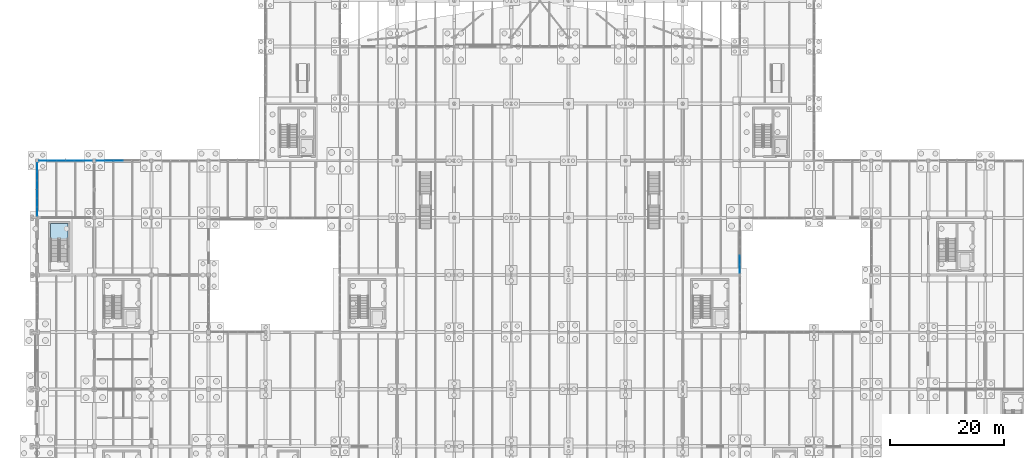
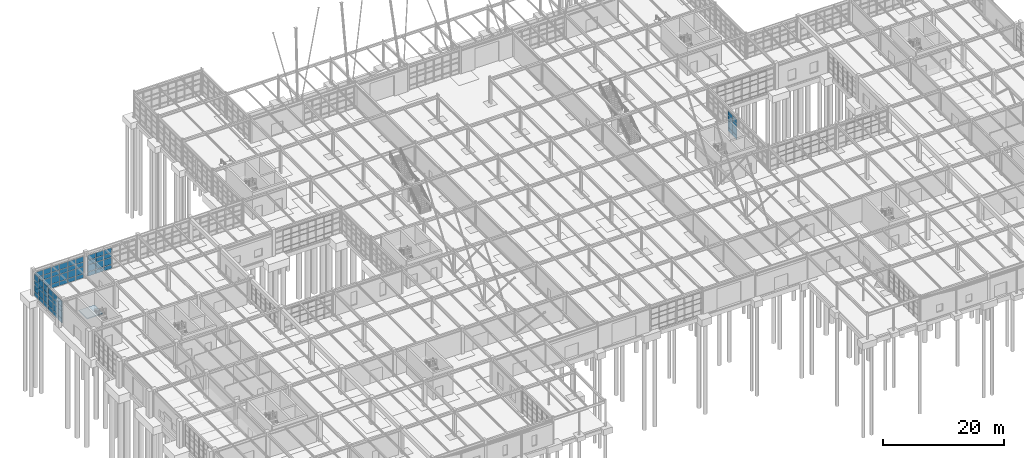
# One storey, part 86 of 145: 68 plates, 1 slab, 5 elements without a shape of their own.
"""IFC4 building model written with IfcOpenShell, lengths in metres."""

from ifc_helpers import new_model, si_unit, direction, frame, origin, origin_2d, place, context, subcontext, project, spatial, polyline, rectangle, outline, extrude, material, layer, layer_set, type_object, element, aggregate, save


model = new_model("IFC4")

# Units and contexts
model_context = context("Model", 3, precision=1e-05, world=origin(), true_north=direction((0.0, 1.0)))
body_context = subcontext(model_context, "Body", "Model", "MODEL_VIEW")
ifc_project = project(units=[si_unit("LENGTHUNIT", "METRE"), si_unit("AREAUNIT", "SQUARE_METRE"), si_unit("VOLUMEUNIT", "CUBIC_METRE"), si_unit("PLANEANGLEUNIT", "RADIAN"), si_unit("MASSUNIT", "GRAM", prefix="KILO"), si_unit("THERMODYNAMICTEMPERATUREUNIT", "KELVIN"), si_unit("POWERUNIT", "WATT")], contexts=[model_context])

# Site, building, storey
site_placement = place(None, origin())
site = spatial("IfcSite", under=ifc_project, at=site_placement, CompositionType="ELEMENT")
building_placement = place(site_placement, origin())
building = spatial("IfcBuilding", under=site, at=building_placement, Name="Korenveer Ferry Terminal", CompositionType="ELEMENT")
storey_placement = place(building_placement, origin())
storey = spatial("IfcBuildingStorey", under=building, at=storey_placement, Name="L00", CompositionType="ELEMENT", Elevation=0.0)

# Curtain wall, plates
ifc_material_1 = material(Name="Unitised bronze-and-glass curtain wall", Category="glass")
ifc_layer_1 = layer(ifc_material_1, 0.219970703125)
ifc_layer_set_1 = layer_set([ifc_layer_1], Name="Unitised bronze-and-glass curtain wall")
curtain_wall_type_1 = type_object("IfcCurtainWallType", Name="ENV-CW-08", PredefinedType="USERDEFINED", material=ifc_layer_set_1)
curtain_wall_1_placement = place(storey_placement, frame((0.330078125, 80.0, 0.0)))
curtain_wall_1 = element("IfcCurtainWall", 1, at=curtain_wall_1_placement, inside=storey, type_object=curtain_wall_type_1, Name="Lancet curtain wall CWX-L00-X0-10-Y80-80", ObjectType="UNITISED CURTAIN WALL", PredefinedType="USERDEFINED")
ifc_material_2 = material(Name="Acoustic laminated marine glazing", Category="glass")
ifc_layer_2 = layer(ifc_material_2, 0.035888671875)
ifc_layer_set_2 = layer_set([ifc_layer_2], Name="Acoustic laminated marine glazing")
plate_type = type_object("IfcPlateType", Name="ENV-CWP-GLZ36", PredefinedType="CURTAIN_PANEL", material=ifc_layer_set_2)
plate_1_placement = place(storey_placement, frame((1.127197265625, 80.0, 0.074951171875), z_axis=(0.0, 0.0, 1.0), x_axis=(1.0, 0.0, 0.0)))
plate_1 = element("IfcPlate", 2, at=plate_1_placement, type_object=plate_type, Name="CW-08 panel 1.1", PredefinedType="CURTAIN_PANEL", context=body_context, shape_type="SweptSolid", body=[
    extrude(rectangle(XDim=1.444091796875, YDim=0.035888671875, at=origin_2d()), origin(), (0.0, 0.0, 1.0), 0.78759765625),
])
plate_2_placement = place(storey_placement, frame((1.127197265625, 80.0, 0.9375), z_axis=(0.0, 0.0, 1.0), x_axis=(1.0, 0.0, 0.0)))
plate_2 = element("IfcPlate", 3, at=plate_2_placement, type_object=plate_type, Name="CW-08 panel 1.2", PredefinedType="CURTAIN_PANEL", context=body_context, shape_type="SweptSolid", body=[
    extrude(rectangle(XDim=1.444091796875, YDim=0.035888671875, at=origin_2d()), origin(), (0.0, 0.0, 1.0), 1.375),
])
plate_3_placement = place(storey_placement, frame((1.127197265625, 80.0, 2.3876953125), z_axis=(0.0, 0.0, 1.0), x_axis=(1.0, 0.0, 0.0)))
plate_3 = element("IfcPlate", 4, at=plate_3_placement, type_object=plate_type, Name="CW-08 panel 1.3", PredefinedType="CURTAIN_PANEL", context=body_context, shape_type="SweptSolid", body=[
    extrude(rectangle(XDim=1.444091796875, YDim=0.035888671875, at=origin_2d()), origin(), (0.0, 0.0, 1.0), 0.824951171875),
])
plate_4_placement = place(storey_placement, frame((1.127197265625, 80.0, 3.28759765625), z_axis=(0.0, 0.0, 1.0), x_axis=(1.0, 0.0, 0.0)))
plate_4 = element("IfcPlate", 5, at=plate_4_placement, type_object=plate_type, Name="CW-08 panel 1.4", PredefinedType="CURTAIN_PANEL", context=body_context, shape_type="SweptSolid", body=[
    extrude(rectangle(XDim=1.444091796875, YDim=0.035888671875, at=origin_2d()), origin(), (0.0, 0.0, 1.0), 1.077392578125),
])
plate_5_placement = place(storey_placement, frame((2.6650390625, 80.0, 0.074951171875), z_axis=(0.0, 0.0, 1.0), x_axis=(1.0, 0.0, 0.0)))
plate_5 = element("IfcPlate", 6, at=plate_5_placement, type_object=plate_type, Name="CW-08 panel 2.1", PredefinedType="CURTAIN_PANEL", context=body_context, shape_type="SweptSolid", body=[
    extrude(rectangle(XDim=1.481689453125, YDim=0.035888671875, at=origin_2d()), origin(), (0.0, 0.0, 1.0), 0.78759765625),
])
plate_6_placement = place(storey_placement, frame((2.6650390625, 80.0, 0.9375), z_axis=(0.0, 0.0, 1.0), x_axis=(1.0, 0.0, 0.0)))
plate_6 = element("IfcPlate", 7, at=plate_6_placement, type_object=plate_type, Name="CW-08 panel 2.2", PredefinedType="CURTAIN_PANEL", context=body_context, shape_type="SweptSolid", body=[
    extrude(rectangle(XDim=1.481689453125, YDim=0.035888671875, at=origin_2d()), origin(), (0.0, 0.0, 1.0), 1.375),
])
plate_7_placement = place(storey_placement, frame((2.6650390625, 80.0, 2.3876953125), z_axis=(0.0, 0.0, 1.0), x_axis=(1.0, 0.0, 0.0)))
plate_7 = element("IfcPlate", 8, at=plate_7_placement, type_object=plate_type, Name="CW-08 panel 2.3", PredefinedType="CURTAIN_PANEL", context=body_context, shape_type="SweptSolid", body=[
    extrude(rectangle(XDim=1.481689453125, YDim=0.035888671875, at=origin_2d()), origin(), (0.0, 0.0, 1.0), 0.824951171875),
])
plate_8_placement = place(storey_placement, frame((2.6650390625, 80.0, 3.28759765625), z_axis=(0.0, 0.0, 1.0), x_axis=(1.0, 0.0, 0.0)))
plate_8 = element("IfcPlate", 9, at=plate_8_placement, type_object=plate_type, Name="CW-08 panel 2.4", PredefinedType="CURTAIN_PANEL", context=body_context, shape_type="SweptSolid", body=[
    extrude(rectangle(XDim=1.481689453125, YDim=0.035888671875, at=origin_2d()), origin(), (0.0, 0.0, 1.0), 1.077392578125),
])
plate_9_placement = place(storey_placement, frame((4.2216796875, 80.0, 0.074951171875), z_axis=(0.0, 0.0, 1.0), x_axis=(1.0, 0.0, 0.0)))
plate_9 = element("IfcPlate", 10, at=plate_9_placement, type_object=plate_type, Name="CW-08 panel 3.1", PredefinedType="CURTAIN_PANEL", context=body_context, shape_type="SweptSolid", body=[
    extrude(rectangle(XDim=1.481689453125, YDim=0.035888671875, at=origin_2d()), origin(), (0.0, 0.0, 1.0), 0.78759765625),
])
plate_10_placement = place(storey_placement, frame((4.2216796875, 80.0, 0.9375), z_axis=(0.0, 0.0, 1.0), x_axis=(1.0, 0.0, 0.0)))
plate_10 = element("IfcPlate", 11, at=plate_10_placement, type_object=plate_type, Name="CW-08 panel 3.2", PredefinedType="CURTAIN_PANEL", context=body_context, shape_type="SweptSolid", body=[
    extrude(rectangle(XDim=1.481689453125, YDim=0.035888671875, at=origin_2d()), origin(), (0.0, 0.0, 1.0), 1.375),
])
plate_11_placement = place(storey_placement, frame((4.2216796875, 80.0, 2.3876953125), z_axis=(0.0, 0.0, 1.0), x_axis=(1.0, 0.0, 0.0)))
plate_11 = element("IfcPlate", 12, at=plate_11_placement, type_object=plate_type, Name="CW-08 panel 3.3", PredefinedType="CURTAIN_PANEL", context=body_context, shape_type="SweptSolid", body=[
    extrude(rectangle(XDim=1.481689453125, YDim=0.035888671875, at=origin_2d()), origin(), (0.0, 0.0, 1.0), 0.824951171875),
])
plate_12_placement = place(storey_placement, frame((4.2216796875, 80.0, 3.28759765625), z_axis=(0.0, 0.0, 1.0), x_axis=(1.0, 0.0, 0.0)))
plate_12 = element("IfcPlate", 13, at=plate_12_placement, type_object=plate_type, Name="CW-08 panel 3.4", PredefinedType="CURTAIN_PANEL", context=body_context, shape_type="SweptSolid", body=[
    extrude(rectangle(XDim=1.481689453125, YDim=0.035888671875, at=origin_2d()), origin(), (0.0, 0.0, 1.0), 1.077392578125),
])
plate_13_placement = place(storey_placement, frame((5.7783203125, 80.0, 0.074951171875), z_axis=(0.0, 0.0, 1.0), x_axis=(1.0, 0.0, 0.0)))
plate_13 = element("IfcPlate", 14, at=plate_13_placement, type_object=plate_type, Name="CW-08 panel 4.1", PredefinedType="CURTAIN_PANEL", context=body_context, shape_type="SweptSolid", body=[
    extrude(rectangle(XDim=1.481689453125, YDim=0.035888671875, at=origin_2d()), origin(), (0.0, 0.0, 1.0), 0.78759765625),
])
plate_14_placement = place(storey_placement, frame((5.7783203125, 80.0, 0.9375), z_axis=(0.0, 0.0, 1.0), x_axis=(1.0, 0.0, 0.0)))
plate_14 = element("IfcPlate", 15, at=plate_14_placement, type_object=plate_type, Name="CW-08 panel 4.2", PredefinedType="CURTAIN_PANEL", context=body_context, shape_type="SweptSolid", body=[
    extrude(rectangle(XDim=1.481689453125, YDim=0.035888671875, at=origin_2d()), origin(), (0.0, 0.0, 1.0), 1.375),
])
plate_15_placement = place(storey_placement, frame((5.7783203125, 80.0, 2.3876953125), z_axis=(0.0, 0.0, 1.0), x_axis=(1.0, 0.0, 0.0)))
plate_15 = element("IfcPlate", 16, at=plate_15_placement, type_object=plate_type, Name="CW-08 panel 4.3", PredefinedType="CURTAIN_PANEL", context=body_context, shape_type="SweptSolid", body=[
    extrude(rectangle(XDim=1.481689453125, YDim=0.035888671875, at=origin_2d()), origin(), (0.0, 0.0, 1.0), 0.824951171875),
])
plate_16_placement = place(storey_placement, frame((5.7783203125, 80.0, 3.28759765625), z_axis=(0.0, 0.0, 1.0), x_axis=(1.0, 0.0, 0.0)))
plate_16 = element("IfcPlate", 17, at=plate_16_placement, type_object=plate_type, Name="CW-08 panel 4.4", PredefinedType="CURTAIN_PANEL", context=body_context, shape_type="SweptSolid", body=[
    extrude(rectangle(XDim=1.481689453125, YDim=0.035888671875, at=origin_2d()), origin(), (0.0, 0.0, 1.0), 1.077392578125),
])
plate_17_placement = place(storey_placement, frame((7.3349609375, 80.0, 0.074951171875), z_axis=(0.0, 0.0, 1.0), x_axis=(1.0, 0.0, 0.0)))
plate_17 = element("IfcPlate", 18, at=plate_17_placement, type_object=plate_type, Name="CW-08 panel 5.1", PredefinedType="CURTAIN_PANEL", context=body_context, shape_type="SweptSolid", body=[
    extrude(rectangle(XDim=1.481689453125, YDim=0.035888671875, at=origin_2d()), origin(), (0.0, 0.0, 1.0), 0.78759765625),
])
plate_18_placement = place(storey_placement, frame((7.3349609375, 80.0, 0.9375), z_axis=(0.0, 0.0, 1.0), x_axis=(1.0, 0.0, 0.0)))
plate_18 = element("IfcPlate", 19, at=plate_18_placement, type_object=plate_type, Name="CW-08 panel 5.2", PredefinedType="CURTAIN_PANEL", context=body_context, shape_type="SweptSolid", body=[
    extrude(rectangle(XDim=1.481689453125, YDim=0.035888671875, at=origin_2d()), origin(), (0.0, 0.0, 1.0), 1.375),
])
plate_19_placement = place(storey_placement, frame((7.3349609375, 80.0, 2.3876953125), z_axis=(0.0, 0.0, 1.0), x_axis=(1.0, 0.0, 0.0)))
plate_19 = element("IfcPlate", 20, at=plate_19_placement, type_object=plate_type, Name="CW-08 panel 5.3", PredefinedType="CURTAIN_PANEL", context=body_context, shape_type="SweptSolid", body=[
    extrude(rectangle(XDim=1.481689453125, YDim=0.035888671875, at=origin_2d()), origin(), (0.0, 0.0, 1.0), 0.824951171875),
])
plate_20_placement = place(storey_placement, frame((7.3349609375, 80.0, 3.28759765625), z_axis=(0.0, 0.0, 1.0), x_axis=(1.0, 0.0, 0.0)))
plate_20 = element("IfcPlate", 21, at=plate_20_placement, type_object=plate_type, Name="CW-08 panel 5.4", PredefinedType="CURTAIN_PANEL", context=body_context, shape_type="SweptSolid", body=[
    extrude(rectangle(XDim=1.481689453125, YDim=0.035888671875, at=origin_2d()), origin(), (0.0, 0.0, 1.0), 1.077392578125),
])
plate_21_placement = place(storey_placement, frame((8.872802734375, 80.0, 0.074951171875), z_axis=(0.0, 0.0, 1.0), x_axis=(1.0, 0.0, 0.0)))
plate_21 = element("IfcPlate", 22, at=plate_21_placement, type_object=plate_type, Name="CW-08 panel 6.1", PredefinedType="CURTAIN_PANEL", context=body_context, shape_type="SweptSolid", body=[
    extrude(rectangle(XDim=1.444091796875, YDim=0.035888671875, at=origin_2d()), origin(), (0.0, 0.0, 1.0), 0.78759765625),
])
plate_22_placement = place(storey_placement, frame((8.872802734375, 80.0, 0.9375), z_axis=(0.0, 0.0, 1.0), x_axis=(1.0, 0.0, 0.0)))
plate_22 = element("IfcPlate", 23, at=plate_22_placement, type_object=plate_type, Name="CW-08 panel 6.2", PredefinedType="CURTAIN_PANEL", context=body_context, shape_type="SweptSolid", body=[
    extrude(rectangle(XDim=1.444091796875, YDim=0.035888671875, at=origin_2d()), origin(), (0.0, 0.0, 1.0), 1.375),
])
plate_23_placement = place(storey_placement, frame((8.872802734375, 80.0, 2.3876953125), z_axis=(0.0, 0.0, 1.0), x_axis=(1.0, 0.0, 0.0)))
plate_23 = element("IfcPlate", 24, at=plate_23_placement, type_object=plate_type, Name="CW-08 panel 6.3", PredefinedType="CURTAIN_PANEL", context=body_context, shape_type="SweptSolid", body=[
    extrude(rectangle(XDim=1.444091796875, YDim=0.035888671875, at=origin_2d()), origin(), (0.0, 0.0, 1.0), 0.824951171875),
])
plate_24_placement = place(storey_placement, frame((8.872802734375, 80.0, 3.28759765625), z_axis=(0.0, 0.0, 1.0), x_axis=(1.0, 0.0, 0.0)))
plate_24 = element("IfcPlate", 25, at=plate_24_placement, type_object=plate_type, Name="CW-08 panel 6.4", PredefinedType="CURTAIN_PANEL", context=body_context, shape_type="SweptSolid", body=[
    extrude(rectangle(XDim=1.444091796875, YDim=0.035888671875, at=origin_2d()), origin(), (0.0, 0.0, 1.0), 1.077392578125),
])
aggregate(curtain_wall_1, [plate_1, plate_2, plate_3, plate_4, plate_5, plate_6, plate_7, plate_8, plate_9, plate_10, plate_11, plate_12, plate_13, plate_14, plate_15, plate_16, plate_17, plate_18, plate_19, plate_20, plate_21, plate_22, plate_23, plate_24])

ifc_layer_3 = layer(ifc_material_1, 0.219970703125)
ifc_layer_set_3 = layer_set([ifc_layer_3], Name="Unitised bronze-and-glass curtain wall")
curtain_wall_type_2 = type_object("IfcCurtainWallType", Name="ENV-CW-09", PredefinedType="USERDEFINED", material=ifc_layer_set_3)
curtain_wall_2_placement = place(storey_placement, frame((10.330078125, 80.0, 0.0)))
curtain_wall_2 = element("IfcCurtainWall", 26, at=curtain_wall_2_placement, inside=storey, type_object=curtain_wall_type_2, Name="Lancet curtain wall CWX-L00-X10-20-Y80-80", ObjectType="UNITISED CURTAIN WALL", PredefinedType="USERDEFINED")
plate_25_placement = place(storey_placement, frame((11.127197265625, 80.0, 0.074951171875), z_axis=(0.0, 0.0, 1.0), x_axis=(1.0, 0.0, 0.0)))
plate_25 = element("IfcPlate", 27, at=plate_25_placement, type_object=plate_type, Name="CW-09 panel 1.1", PredefinedType="CURTAIN_PANEL", context=body_context, shape_type="SweptSolid", body=[
    extrude(rectangle(XDim=1.444091796875, YDim=0.035888671875, at=origin_2d()), origin(), (0.0, 0.0, 1.0), 0.78759765625),
])
plate_26_placement = place(storey_placement, frame((11.127197265625, 80.0, 0.9375), z_axis=(0.0, 0.0, 1.0), x_axis=(1.0, 0.0, 0.0)))
plate_26 = element("IfcPlate", 28, at=plate_26_placement, type_object=plate_type, Name="CW-09 panel 1.2", PredefinedType="CURTAIN_PANEL", context=body_context, shape_type="SweptSolid", body=[
    extrude(rectangle(XDim=1.444091796875, YDim=0.035888671875, at=origin_2d()), origin(), (0.0, 0.0, 1.0), 1.375),
])
plate_27_placement = place(storey_placement, frame((11.127197265625, 80.0, 2.3876953125), z_axis=(0.0, 0.0, 1.0), x_axis=(1.0, 0.0, 0.0)))
plate_27 = element("IfcPlate", 29, at=plate_27_placement, type_object=plate_type, Name="CW-09 panel 1.3", PredefinedType="CURTAIN_PANEL", context=body_context, shape_type="SweptSolid", body=[
    extrude(rectangle(XDim=1.444091796875, YDim=0.035888671875, at=origin_2d()), origin(), (0.0, 0.0, 1.0), 0.824951171875),
])
plate_28_placement = place(storey_placement, frame((11.127197265625, 80.0, 3.28759765625), z_axis=(0.0, 0.0, 1.0), x_axis=(1.0, 0.0, 0.0)))
plate_28 = element("IfcPlate", 30, at=plate_28_placement, type_object=plate_type, Name="CW-09 panel 1.4", PredefinedType="CURTAIN_PANEL", context=body_context, shape_type="SweptSolid", body=[
    extrude(rectangle(XDim=1.444091796875, YDim=0.035888671875, at=origin_2d()), origin(), (0.0, 0.0, 1.0), 0.9775390625),
])
plate_29_placement = place(storey_placement, frame((12.6650390625, 80.0, 0.074951171875), z_axis=(0.0, 0.0, 1.0), x_axis=(1.0, 0.0, 0.0)))
plate_29 = element("IfcPlate", 31, at=plate_29_placement, type_object=plate_type, Name="CW-09 panel 2.1", PredefinedType="CURTAIN_PANEL", context=body_context, shape_type="SweptSolid", body=[
    extrude(rectangle(XDim=1.481689453125, YDim=0.035888671875, at=origin_2d()), origin(), (0.0, 0.0, 1.0), 0.78759765625),
])
plate_30_placement = place(storey_placement, frame((12.6650390625, 80.0, 0.9375), z_axis=(0.0, 0.0, 1.0), x_axis=(1.0, 0.0, 0.0)))
plate_30 = element("IfcPlate", 32, at=plate_30_placement, type_object=plate_type, Name="CW-09 panel 2.2", PredefinedType="CURTAIN_PANEL", context=body_context, shape_type="SweptSolid", body=[
    extrude(rectangle(XDim=1.481689453125, YDim=0.035888671875, at=origin_2d()), origin(), (0.0, 0.0, 1.0), 1.375),
])
plate_31_placement = place(storey_placement, frame((12.6650390625, 80.0, 2.3876953125), z_axis=(0.0, 0.0, 1.0), x_axis=(1.0, 0.0, 0.0)))
plate_31 = element("IfcPlate", 33, at=plate_31_placement, type_object=plate_type, Name="CW-09 panel 2.3", PredefinedType="CURTAIN_PANEL", context=body_context, shape_type="SweptSolid", body=[
    extrude(rectangle(XDim=1.481689453125, YDim=0.035888671875, at=origin_2d()), origin(), (0.0, 0.0, 1.0), 0.824951171875),
])
plate_32_placement = place(storey_placement, frame((12.6650390625, 80.0, 3.28759765625), z_axis=(0.0, 0.0, 1.0), x_axis=(1.0, 0.0, 0.0)))
plate_32 = element("IfcPlate", 34, at=plate_32_placement, type_object=plate_type, Name="CW-09 panel 2.4", PredefinedType="CURTAIN_PANEL", context=body_context, shape_type="SweptSolid", body=[
    extrude(rectangle(XDim=1.481689453125, YDim=0.035888671875, at=origin_2d()), origin(), (0.0, 0.0, 1.0), 0.9775390625),
])
plate_33_placement = place(storey_placement, frame((14.2216796875, 80.0, 0.074951171875), z_axis=(0.0, 0.0, 1.0), x_axis=(1.0, 0.0, 0.0)))
plate_33 = element("IfcPlate", 35, at=plate_33_placement, type_object=plate_type, Name="CW-09 panel 3.1", PredefinedType="CURTAIN_PANEL", context=body_context, shape_type="SweptSolid", body=[
    extrude(rectangle(XDim=1.481689453125, YDim=0.035888671875, at=origin_2d()), origin(), (0.0, 0.0, 1.0), 0.78759765625),
])
plate_34_placement = place(storey_placement, frame((14.2216796875, 80.0, 0.9375), z_axis=(0.0, 0.0, 1.0), x_axis=(1.0, 0.0, 0.0)))
plate_34 = element("IfcPlate", 36, at=plate_34_placement, type_object=plate_type, Name="CW-09 panel 3.2", PredefinedType="CURTAIN_PANEL", context=body_context, shape_type="SweptSolid", body=[
    extrude(rectangle(XDim=1.481689453125, YDim=0.035888671875, at=origin_2d()), origin(), (0.0, 0.0, 1.0), 1.375),
])
plate_35_placement = place(storey_placement, frame((14.2216796875, 80.0, 2.3876953125), z_axis=(0.0, 0.0, 1.0), x_axis=(1.0, 0.0, 0.0)))
plate_35 = element("IfcPlate", 37, at=plate_35_placement, type_object=plate_type, Name="CW-09 panel 3.3", PredefinedType="CURTAIN_PANEL", context=body_context, shape_type="SweptSolid", body=[
    extrude(rectangle(XDim=1.481689453125, YDim=0.035888671875, at=origin_2d()), origin(), (0.0, 0.0, 1.0), 0.824951171875),
])
plate_36_placement = place(storey_placement, frame((14.2216796875, 80.0, 3.28759765625), z_axis=(0.0, 0.0, 1.0), x_axis=(1.0, 0.0, 0.0)))
plate_36 = element("IfcPlate", 38, at=plate_36_placement, type_object=plate_type, Name="CW-09 panel 3.4", PredefinedType="CURTAIN_PANEL", context=body_context, shape_type="SweptSolid", body=[
    extrude(rectangle(XDim=1.481689453125, YDim=0.035888671875, at=origin_2d()), origin(), (0.0, 0.0, 1.0), 0.9775390625),
])
aggregate(curtain_wall_2, [plate_25, plate_26, plate_27, plate_28, plate_29, plate_30, plate_31, plate_32, plate_33, plate_34, plate_35, plate_36])

ifc_layer_4 = layer(ifc_material_1, 0.219970703125)
ifc_layer_set_4 = layer_set([ifc_layer_4], Name="Unitised bronze-and-glass curtain wall")
curtain_wall_type_3 = type_object("IfcCurtainWallType", Name="ENV-CW-19", PredefinedType="USERDEFINED", material=ifc_layer_set_4)
curtain_wall_3_placement = place(storey_placement, frame((0.0, 70.330078125, 0.0)))
curtain_wall_3 = element("IfcCurtainWall", 39, at=curtain_wall_3_placement, inside=storey, type_object=curtain_wall_type_3, Name="Lancet curtain wall CWX-L00-X0-0-Y70-80", ObjectType="UNITISED CURTAIN WALL", PredefinedType="USERDEFINED")
plate_37_placement = place(storey_placement, frame((0.0, 71.127197265625, 0.074951171875), z_axis=(0.0, 0.0, 1.0), x_axis=(0.0, 1.0, 0.0)))
plate_37 = element("IfcPlate", 40, at=plate_37_placement, type_object=plate_type, Name="CW-19 panel 1.1", PredefinedType="CURTAIN_PANEL", context=body_context, shape_type="SweptSolid", body=[
    extrude(rectangle(XDim=1.444091796875, YDim=0.035888671875, at=origin_2d()), origin(), (0.0, 0.0, 1.0), 0.78759765625),
])
plate_38_placement = place(storey_placement, frame((0.0, 71.127197265625, 0.9375), z_axis=(0.0, 0.0, 1.0), x_axis=(0.0, 1.0, 0.0)))
plate_38 = element("IfcPlate", 41, at=plate_38_placement, type_object=plate_type, Name="CW-19 panel 1.2", PredefinedType="CURTAIN_PANEL", context=body_context, shape_type="SweptSolid", body=[
    extrude(rectangle(XDim=1.444091796875, YDim=0.035888671875, at=origin_2d()), origin(), (0.0, 0.0, 1.0), 1.375),
])
plate_39_placement = place(storey_placement, frame((0.0, 71.127197265625, 2.3876953125), z_axis=(0.0, 0.0, 1.0), x_axis=(0.0, 1.0, 0.0)))
plate_39 = element("IfcPlate", 42, at=plate_39_placement, type_object=plate_type, Name="CW-19 panel 1.3", PredefinedType="CURTAIN_PANEL", context=body_context, shape_type="SweptSolid", body=[
    extrude(rectangle(XDim=1.444091796875, YDim=0.035888671875, at=origin_2d()), origin(), (0.0, 0.0, 1.0), 0.824951171875),
])
plate_40_placement = place(storey_placement, frame((0.0, 71.127197265625, 3.28759765625), z_axis=(0.0, 0.0, 1.0), x_axis=(0.0, 1.0, 0.0)))
plate_40 = element("IfcPlate", 43, at=plate_40_placement, type_object=plate_type, Name="CW-19 panel 1.4", PredefinedType="CURTAIN_PANEL", context=body_context, shape_type="SweptSolid", body=[
    extrude(rectangle(XDim=1.444091796875, YDim=0.035888671875, at=origin_2d()), origin(), (0.0, 0.0, 1.0), 1.2275390625),
])
plate_41_placement = place(storey_placement, frame((0.0, 72.6650390625, 0.074951171875), z_axis=(0.0, 0.0, 1.0), x_axis=(0.0, 1.0, 0.0)))
plate_41 = element("IfcPlate", 44, at=plate_41_placement, type_object=plate_type, Name="CW-19 panel 2.1", PredefinedType="CURTAIN_PANEL", context=body_context, shape_type="SweptSolid", body=[
    extrude(rectangle(XDim=1.481689453125, YDim=0.035888671875, at=origin_2d()), origin(), (0.0, 0.0, 1.0), 0.78759765625),
])
plate_42_placement = place(storey_placement, frame((0.0, 72.6650390625, 0.9375), z_axis=(0.0, 0.0, 1.0), x_axis=(0.0, 1.0, 0.0)))
plate_42 = element("IfcPlate", 45, at=plate_42_placement, type_object=plate_type, Name="CW-19 panel 2.2", PredefinedType="CURTAIN_PANEL", context=body_context, shape_type="SweptSolid", body=[
    extrude(rectangle(XDim=1.481689453125, YDim=0.035888671875, at=origin_2d()), origin(), (0.0, 0.0, 1.0), 1.375),
])
plate_43_placement = place(storey_placement, frame((0.0, 72.6650390625, 2.3876953125), z_axis=(0.0, 0.0, 1.0), x_axis=(0.0, 1.0, 0.0)))
plate_43 = element("IfcPlate", 46, at=plate_43_placement, type_object=plate_type, Name="CW-19 panel 2.3", PredefinedType="CURTAIN_PANEL", context=body_context, shape_type="SweptSolid", body=[
    extrude(rectangle(XDim=1.481689453125, YDim=0.035888671875, at=origin_2d()), origin(), (0.0, 0.0, 1.0), 0.824951171875),
])
plate_44_placement = place(storey_placement, frame((0.0, 72.6650390625, 3.28759765625), z_axis=(0.0, 0.0, 1.0), x_axis=(0.0, 1.0, 0.0)))
plate_44 = element("IfcPlate", 47, at=plate_44_placement, type_object=plate_type, Name="CW-19 panel 2.4", PredefinedType="CURTAIN_PANEL", context=body_context, shape_type="SweptSolid", body=[
    extrude(rectangle(XDim=1.481689453125, YDim=0.035888671875, at=origin_2d()), origin(), (0.0, 0.0, 1.0), 1.2275390625),
])
plate_45_placement = place(storey_placement, frame((0.0, 74.2216796875, 0.074951171875), z_axis=(0.0, 0.0, 1.0), x_axis=(0.0, 1.0, 0.0)))
plate_45 = element("IfcPlate", 48, at=plate_45_placement, type_object=plate_type, Name="CW-19 panel 3.1", PredefinedType="CURTAIN_PANEL", context=body_context, shape_type="SweptSolid", body=[
    extrude(rectangle(XDim=1.481689453125, YDim=0.035888671875, at=origin_2d()), origin(), (0.0, 0.0, 1.0), 0.78759765625),
])
plate_46_placement = place(storey_placement, frame((0.0, 74.2216796875, 0.9375), z_axis=(0.0, 0.0, 1.0), x_axis=(0.0, 1.0, 0.0)))
plate_46 = element("IfcPlate", 49, at=plate_46_placement, type_object=plate_type, Name="CW-19 panel 3.2", PredefinedType="CURTAIN_PANEL", context=body_context, shape_type="SweptSolid", body=[
    extrude(rectangle(XDim=1.481689453125, YDim=0.035888671875, at=origin_2d()), origin(), (0.0, 0.0, 1.0), 1.375),
])
plate_47_placement = place(storey_placement, frame((0.0, 74.2216796875, 2.3876953125), z_axis=(0.0, 0.0, 1.0), x_axis=(0.0, 1.0, 0.0)))
plate_47 = element("IfcPlate", 50, at=plate_47_placement, type_object=plate_type, Name="CW-19 panel 3.3", PredefinedType="CURTAIN_PANEL", context=body_context, shape_type="SweptSolid", body=[
    extrude(rectangle(XDim=1.481689453125, YDim=0.035888671875, at=origin_2d()), origin(), (0.0, 0.0, 1.0), 0.824951171875),
])
plate_48_placement = place(storey_placement, frame((0.0, 74.2216796875, 3.28759765625), z_axis=(0.0, 0.0, 1.0), x_axis=(0.0, 1.0, 0.0)))
plate_48 = element("IfcPlate", 51, at=plate_48_placement, type_object=plate_type, Name="CW-19 panel 3.4", PredefinedType="CURTAIN_PANEL", context=body_context, shape_type="SweptSolid", body=[
    extrude(rectangle(XDim=1.481689453125, YDim=0.035888671875, at=origin_2d()), origin(), (0.0, 0.0, 1.0), 1.2275390625),
])
plate_49_placement = place(storey_placement, frame((0.0, 75.7783203125, 0.074951171875), z_axis=(0.0, 0.0, 1.0), x_axis=(0.0, 1.0, 0.0)))
plate_49 = element("IfcPlate", 52, at=plate_49_placement, type_object=plate_type, Name="CW-19 panel 4.1", PredefinedType="CURTAIN_PANEL", context=body_context, shape_type="SweptSolid", body=[
    extrude(rectangle(XDim=1.481689453125, YDim=0.035888671875, at=origin_2d()), origin(), (0.0, 0.0, 1.0), 0.78759765625),
])
plate_50_placement = place(storey_placement, frame((0.0, 75.7783203125, 0.9375), z_axis=(0.0, 0.0, 1.0), x_axis=(0.0, 1.0, 0.0)))
plate_50 = element("IfcPlate", 53, at=plate_50_placement, type_object=plate_type, Name="CW-19 panel 4.2", PredefinedType="CURTAIN_PANEL", context=body_context, shape_type="SweptSolid", body=[
    extrude(rectangle(XDim=1.481689453125, YDim=0.035888671875, at=origin_2d()), origin(), (0.0, 0.0, 1.0), 1.375),
])
plate_51_placement = place(storey_placement, frame((0.0, 75.7783203125, 2.3876953125), z_axis=(0.0, 0.0, 1.0), x_axis=(0.0, 1.0, 0.0)))
plate_51 = element("IfcPlate", 54, at=plate_51_placement, type_object=plate_type, Name="CW-19 panel 4.3", PredefinedType="CURTAIN_PANEL", context=body_context, shape_type="SweptSolid", body=[
    extrude(rectangle(XDim=1.481689453125, YDim=0.035888671875, at=origin_2d()), origin(), (0.0, 0.0, 1.0), 0.824951171875),
])
plate_52_placement = place(storey_placement, frame((0.0, 75.7783203125, 3.28759765625), z_axis=(0.0, 0.0, 1.0), x_axis=(0.0, 1.0, 0.0)))
plate_52 = element("IfcPlate", 55, at=plate_52_placement, type_object=plate_type, Name="CW-19 panel 4.4", PredefinedType="CURTAIN_PANEL", context=body_context, shape_type="SweptSolid", body=[
    extrude(rectangle(XDim=1.481689453125, YDim=0.035888671875, at=origin_2d()), origin(), (0.0, 0.0, 1.0), 1.2275390625),
])
plate_53_placement = place(storey_placement, frame((0.0, 77.3349609375, 0.074951171875), z_axis=(0.0, 0.0, 1.0), x_axis=(0.0, 1.0, 0.0)))
plate_53 = element("IfcPlate", 56, at=plate_53_placement, type_object=plate_type, Name="CW-19 panel 5.1", PredefinedType="CURTAIN_PANEL", context=body_context, shape_type="SweptSolid", body=[
    extrude(rectangle(XDim=1.481689453125, YDim=0.035888671875, at=origin_2d()), origin(), (0.0, 0.0, 1.0), 0.78759765625),
])
plate_54_placement = place(storey_placement, frame((0.0, 77.3349609375, 0.9375), z_axis=(0.0, 0.0, 1.0), x_axis=(0.0, 1.0, 0.0)))
plate_54 = element("IfcPlate", 57, at=plate_54_placement, type_object=plate_type, Name="CW-19 panel 5.2", PredefinedType="CURTAIN_PANEL", context=body_context, shape_type="SweptSolid", body=[
    extrude(rectangle(XDim=1.481689453125, YDim=0.035888671875, at=origin_2d()), origin(), (0.0, 0.0, 1.0), 1.375),
])
plate_55_placement = place(storey_placement, frame((0.0, 77.3349609375, 2.3876953125), z_axis=(0.0, 0.0, 1.0), x_axis=(0.0, 1.0, 0.0)))
plate_55 = element("IfcPlate", 58, at=plate_55_placement, type_object=plate_type, Name="CW-19 panel 5.3", PredefinedType="CURTAIN_PANEL", context=body_context, shape_type="SweptSolid", body=[
    extrude(rectangle(XDim=1.481689453125, YDim=0.035888671875, at=origin_2d()), origin(), (0.0, 0.0, 1.0), 0.824951171875),
])
plate_56_placement = place(storey_placement, frame((0.0, 77.3349609375, 3.28759765625), z_axis=(0.0, 0.0, 1.0), x_axis=(0.0, 1.0, 0.0)))
plate_56 = element("IfcPlate", 59, at=plate_56_placement, type_object=plate_type, Name="CW-19 panel 5.4", PredefinedType="CURTAIN_PANEL", context=body_context, shape_type="SweptSolid", body=[
    extrude(rectangle(XDim=1.481689453125, YDim=0.035888671875, at=origin_2d()), origin(), (0.0, 0.0, 1.0), 1.2275390625),
])
plate_57_placement = place(storey_placement, frame((0.0, 78.872802734375, 0.074951171875), z_axis=(0.0, 0.0, 1.0), x_axis=(0.0, 1.0, 0.0)))
plate_57 = element("IfcPlate", 60, at=plate_57_placement, type_object=plate_type, Name="CW-19 panel 6.1", PredefinedType="CURTAIN_PANEL", context=body_context, shape_type="SweptSolid", body=[
    extrude(rectangle(XDim=1.444091796875, YDim=0.035888671875, at=origin_2d()), origin(), (0.0, 0.0, 1.0), 0.78759765625),
])
plate_58_placement = place(storey_placement, frame((0.0, 78.872802734375, 0.9375), z_axis=(0.0, 0.0, 1.0), x_axis=(0.0, 1.0, 0.0)))
plate_58 = element("IfcPlate", 61, at=plate_58_placement, type_object=plate_type, Name="CW-19 panel 6.2", PredefinedType="CURTAIN_PANEL", context=body_context, shape_type="SweptSolid", body=[
    extrude(rectangle(XDim=1.444091796875, YDim=0.035888671875, at=origin_2d()), origin(), (0.0, 0.0, 1.0), 1.375),
])
plate_59_placement = place(storey_placement, frame((0.0, 78.872802734375, 2.3876953125), z_axis=(0.0, 0.0, 1.0), x_axis=(0.0, 1.0, 0.0)))
plate_59 = element("IfcPlate", 62, at=plate_59_placement, type_object=plate_type, Name="CW-19 panel 6.3", PredefinedType="CURTAIN_PANEL", context=body_context, shape_type="SweptSolid", body=[
    extrude(rectangle(XDim=1.444091796875, YDim=0.035888671875, at=origin_2d()), origin(), (0.0, 0.0, 1.0), 0.824951171875),
])
plate_60_placement = place(storey_placement, frame((0.0, 78.872802734375, 3.28759765625), z_axis=(0.0, 0.0, 1.0), x_axis=(0.0, 1.0, 0.0)))
plate_60 = element("IfcPlate", 63, at=plate_60_placement, type_object=plate_type, Name="CW-19 panel 6.4", PredefinedType="CURTAIN_PANEL", context=body_context, shape_type="SweptSolid", body=[
    extrude(rectangle(XDim=1.444091796875, YDim=0.035888671875, at=origin_2d()), origin(), (0.0, 0.0, 1.0), 1.2275390625),
])
aggregate(curtain_wall_3, [plate_37, plate_38, plate_39, plate_40, plate_41, plate_42, plate_43, plate_44, plate_45, plate_46, plate_47, plate_48, plate_49, plate_50, plate_51, plate_52, plate_53, plate_54, plate_55, plate_56, plate_57, plate_58, plate_59, plate_60])

ifc_layer_5 = layer(ifc_material_1, 0.219970703125)
ifc_layer_set_5 = layer_set([ifc_layer_5], Name="Unitised bronze-and-glass curtain wall")
curtain_wall_type_4 = type_object("IfcCurtainWallType", Name="ENV-CW-27", PredefinedType="USERDEFINED", material=ifc_layer_set_5)
curtain_wall_4_placement = place(storey_placement, frame((123.0, 69.719970703125, 0.0)))
curtain_wall_4 = element("IfcCurtainWall", 64, at=curtain_wall_4_placement, inside=storey, type_object=curtain_wall_type_4, Name="Lancet curtain wall CWX-L00-X123-123-Y60-70", ObjectType="UNITISED CURTAIN WALL", PredefinedType="USERDEFINED")
plate_61_placement = place(storey_placement, frame((123.0, 62.639892578125, 0.074951171875), z_axis=(0.0, 0.0, 1.0), x_axis=(0.0, -1.0, 0.0)))
plate_61 = element("IfcPlate", 65, at=plate_61_placement, type_object=plate_type, Name="CW-27 panel 5.1", PredefinedType="CURTAIN_PANEL", context=body_context, shape_type="SweptSolid", body=[
    extrude(rectangle(XDim=1.498291015625, YDim=0.035888671875, at=origin_2d()), origin(), (0.0, 0.0, 1.0), 0.78759765625),
])
plate_62_placement = place(storey_placement, frame((123.0, 62.639892578125, 0.9375), z_axis=(0.0, 0.0, 1.0), x_axis=(0.0, -1.0, 0.0)))
plate_62 = element("IfcPlate", 66, at=plate_62_placement, type_object=plate_type, Name="CW-27 panel 5.2", PredefinedType="CURTAIN_PANEL", context=body_context, shape_type="SweptSolid", body=[
    extrude(rectangle(XDim=1.498291015625, YDim=0.035888671875, at=origin_2d()), origin(), (0.0, 0.0, 1.0), 1.375),
])
plate_63_placement = place(storey_placement, frame((123.0, 62.639892578125, 2.3876953125), z_axis=(0.0, 0.0, 1.0), x_axis=(0.0, -1.0, 0.0)))
plate_63 = element("IfcPlate", 67, at=plate_63_placement, type_object=plate_type, Name="CW-27 panel 5.3", PredefinedType="CURTAIN_PANEL", context=body_context, shape_type="SweptSolid", body=[
    extrude(rectangle(XDim=1.498291015625, YDim=0.035888671875, at=origin_2d()), origin(), (0.0, 0.0, 1.0), 0.824951171875),
])
plate_64_placement = place(storey_placement, frame((123.0, 62.639892578125, 3.28759765625), z_axis=(0.0, 0.0, 1.0), x_axis=(0.0, -1.0, 0.0)))
plate_64 = element("IfcPlate", 68, at=plate_64_placement, type_object=plate_type, Name="CW-27 panel 5.4", PredefinedType="CURTAIN_PANEL", context=body_context, shape_type="SweptSolid", body=[
    extrude(rectangle(XDim=1.498291015625, YDim=0.035888671875, at=origin_2d()), origin(), (0.0, 0.0, 1.0), 0.887451171875),
])
plate_65_placement = place(storey_placement, frame((123.0, 61.08544921875, 0.074951171875), z_axis=(0.0, 0.0, 1.0), x_axis=(0.0, -1.0, 0.0)))
plate_65 = element("IfcPlate", 69, at=plate_65_placement, type_object=plate_type, Name="CW-27 panel 6.1", PredefinedType="CURTAIN_PANEL", context=body_context, shape_type="SweptSolid", body=[
    extrude(rectangle(XDim=1.4609375, YDim=0.035888671875, at=origin_2d()), origin(), (0.0, 0.0, 1.0), 0.78759765625),
])
plate_66_placement = place(storey_placement, frame((123.0, 61.08544921875, 0.9375), z_axis=(0.0, 0.0, 1.0), x_axis=(0.0, -1.0, 0.0)))
plate_66 = element("IfcPlate", 70, at=plate_66_placement, type_object=plate_type, Name="CW-27 panel 6.2", PredefinedType="CURTAIN_PANEL", context=body_context, shape_type="SweptSolid", body=[
    extrude(rectangle(XDim=1.4609375, YDim=0.035888671875, at=origin_2d()), origin(), (0.0, 0.0, 1.0), 1.375),
])
plate_67_placement = place(storey_placement, frame((123.0, 61.08544921875, 2.3876953125), z_axis=(0.0, 0.0, 1.0), x_axis=(0.0, -1.0, 0.0)))
plate_67 = element("IfcPlate", 71, at=plate_67_placement, type_object=plate_type, Name="CW-27 panel 6.3", PredefinedType="CURTAIN_PANEL", context=body_context, shape_type="SweptSolid", body=[
    extrude(rectangle(XDim=1.4609375, YDim=0.035888671875, at=origin_2d()), origin(), (0.0, 0.0, 1.0), 0.824951171875),
])
plate_68_placement = place(storey_placement, frame((123.0, 61.08544921875, 3.28759765625), z_axis=(0.0, 0.0, 1.0), x_axis=(0.0, -1.0, 0.0)))
plate_68 = element("IfcPlate", 72, at=plate_68_placement, type_object=plate_type, Name="CW-27 panel 6.4", PredefinedType="CURTAIN_PANEL", context=body_context, shape_type="SweptSolid", body=[
    extrude(rectangle(XDim=1.4609375, YDim=0.035888671875, at=origin_2d()), origin(), (0.0, 0.0, 1.0), 0.887451171875),
])
aggregate(curtain_wall_4, [plate_61, plate_62, plate_63, plate_64, plate_65, plate_66, plate_67, plate_68])

# Stair, slab
ifc_material_3 = material(Name="Concrete C40/50", Category="concrete")
stair_type = type_object("IfcStairType", Name="INT-ST-07", PredefinedType="HALF_TURN_STAIR", material=ifc_material_3)
stair_placement = place(storey_placement, frame((4.68994140625, 62.3798828125, 0.0)))
stair = element("IfcStair", 73, at=stair_placement, inside=storey, type_object=stair_type, Name="L00 Harbourmaster North Stair Core K11", PredefinedType="HALF_TURN_STAIR")
ifc_layer_6 = layer(ifc_material_3, 0.199951171875)
ifc_layer_set_6 = layer_set([ifc_layer_6], Name="Concrete C40/50")
slab_type = type_object("IfcSlabType", Name="INT-SL-LAND200", PredefinedType="LANDING", material=ifc_layer_set_6)
slab_placement = place(storey_placement, frame((0.0, 0.0, 2.5)))
slab = element("IfcSlab", 74, at=slab_placement, type_object=slab_type, Name="ST11 landing 1", PredefinedType="LANDING", context=body_context, shape_type="SweptSolid", body=[
    extrude(outline(polyline([(5.39990234375, 66.300048828125), (5.39990234375, 69.0400390625), (2.360107421875, 69.0400390625), (2.360107421875, 66.300048828125), (5.39990234375, 66.300048828125)])), origin(), (0.0, 0.0, 1.0), 0.199951171875),
])
aggregate(stair, [slab])

save(model, "model.ifc")
